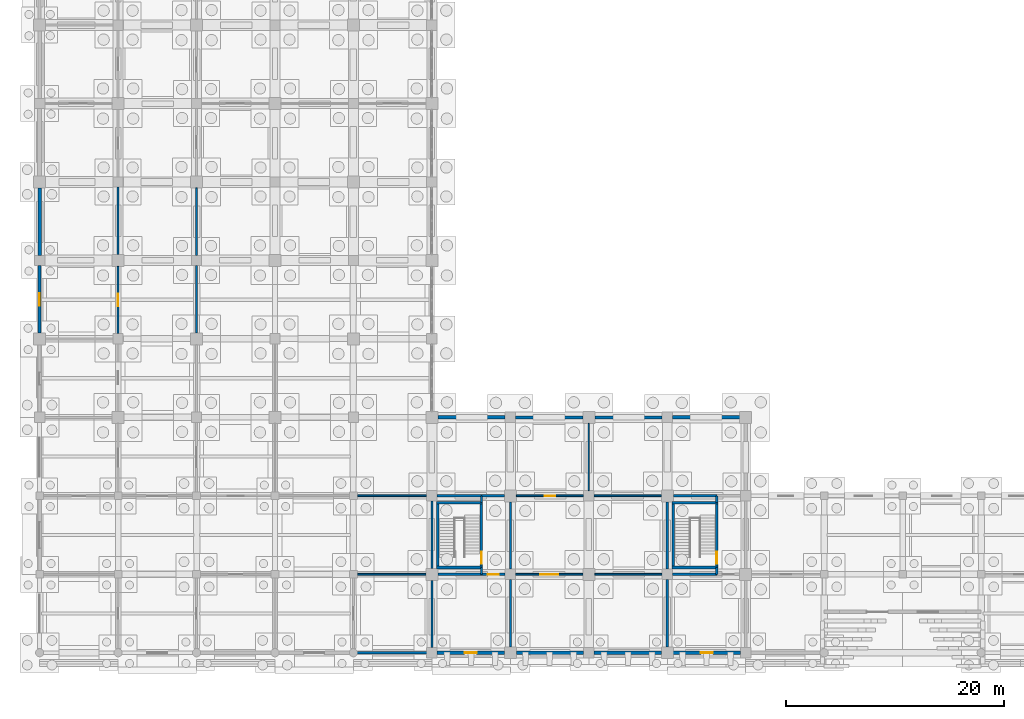
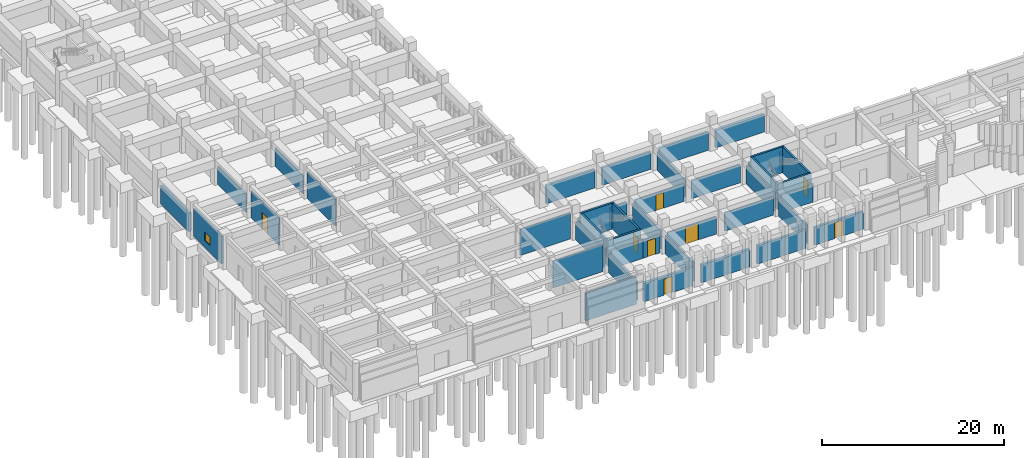
# One storey, part 57 of 79: 46 walls, 8 doors, 1 window, 9 openings.
"""IFC4 building model written with IfcOpenShell, lengths in metres."""

from ifc_helpers import new_model, si_unit, direction, frame, frame_2d, origin, place, context, subcontext, project, spatial, rectangle, extrude, material, layer, layer_set, type_object, element, fill, save


model = new_model("IFC4")

# Units and contexts
model_context = context("Model", 3, precision=1e-05, world=origin(), true_north=direction((0.0, 1.0)))
body_context = subcontext(model_context, "Body", "Model", "MODEL_VIEW")
ifc_project = project(units=[si_unit("LENGTHUNIT", "METRE"), si_unit("AREAUNIT", "SQUARE_METRE"), si_unit("VOLUMEUNIT", "CUBIC_METRE"), si_unit("PLANEANGLEUNIT", "RADIAN"), si_unit("MASSUNIT", "GRAM", prefix="KILO")], contexts=[model_context])

# Site, building, storey
site_placement = place(None, origin())
site = spatial("IfcSite", under=ifc_project, at=site_placement, CompositionType="ELEMENT")
building_placement = place(site_placement, origin())
building = spatial("IfcBuilding", under=site, at=building_placement, Name="Kavelor Marine Aquarium", CompositionType="ELEMENT")
storey_placement = place(building_placement, origin())
storey = spatial("IfcBuildingStorey", under=building, at=storey_placement, Name="L00", CompositionType="ELEMENT", Elevation=0.0)

# Walls
ifc_material_1 = material(Name="Concrete C45/55", Category="concrete")
ifc_layer_1 = layer(ifc_material_1, 0.360107421875)
ifc_layer_set_1 = layer_set([ifc_layer_1], Name="WL-EX1")
wall_type_1 = type_object("IfcWallType", Name="WL-EX1", PredefinedType="STANDARD", material=ifc_layer_set_1)
wall_1_placement = place(storey_placement, frame((53.1298828125, 2.800048828125, 0.0), z_axis=(0.0, 0.0, 1.0), x_axis=(-1.0, 0.0, 0.0)))
element("IfcWall", 1, at=wall_1_placement, inside=storey, type_object=wall_type_1, Name="ew:x:L00:06_00", PredefinedType="STANDARD", context=body_context, shape_type="SweptSolid", body=[
    extrude(rectangle(XDim=6.184814453125, YDim=0.360107421875, at=frame_2d((3.09228515625, 0.0))), origin(), (0.0, 0.0, 1.0), 2.3701171875),
])
ifc_material_2 = material(Name="Concrete C45/55", Category="concrete")
ifc_layer_2 = layer(ifc_material_2, 0.320068359375)
ifc_layer_set_2 = layer_set([ifc_layer_2], Name="WL-EX2")
wall_type_2 = type_object("IfcWallType", Name="WL-EX2", PredefinedType="STANDARD", material=ifc_layer_set_2)
wall_2_placement = place(storey_placement, frame((60.2548828125, 2.800048828125, 0.0), z_axis=(0.0, 0.0, 1.0), x_axis=(-1.0, 0.0, 0.0)))
element("IfcWall", 2, at=wall_2_placement, inside=storey, type_object=wall_type_2, Name="ew:x:L00:07_00", PredefinedType="STANDARD", context=body_context, shape_type="SweptSolid", body=[
    extrude(rectangle(XDim=6.184814453125, YDim=0.320068359375, at=frame_2d((3.09228515625, 0.0))), origin(), (0.0, 0.0, 1.0), 2.469970703125),
])
ifc_material_3 = material(Name="Concrete C40/50", Category="concrete")
ifc_layer_3 = layer(ifc_material_3, 0.300048828125)
ifc_layer_set_3 = layer_set([ifc_layer_3], Name="WL-EX3")
wall_type_3 = type_object("IfcWallType", Name="WL-EX3", PredefinedType="STANDARD", material=ifc_layer_set_3)
wall_3_placement = place(storey_placement, frame((39.7451171875, 24.39990234375, 0.0), z_axis=(0.0, 0.0, 1.0), x_axis=(1.0, 0.0, 0.0)))
element("IfcWall", 3, at=wall_3_placement, inside=storey, type_object=wall_type_3, Name="ew:x:L00:05_03", PredefinedType="STANDARD", context=body_context, shape_type="SweptSolid", body=[
    extrude(rectangle(XDim=6.184814453125, YDim=0.300048828125, at=frame_2d((3.09228515625, 0.0))), origin(), (0.0, 0.0, 1.0), 2.469970703125),
])

# Wall, opening, door
wall_4_placement = place(storey_placement, frame((67.530029296875, 2.800048828125, 0.0), z_axis=(0.0, 0.0, 1.0), x_axis=(-1.0, 0.0, 0.0)))
wall_4 = element("IfcWall", 4, at=wall_4_placement, inside=storey, type_object=wall_type_3, Name="ew:x:L00:08_00", PredefinedType="STANDARD", context=body_context, shape_type="SweptSolid", body=[
    extrude(rectangle(XDim=6.18505859375, YDim=0.300048828125, at=frame_2d((3.092529296875, 0.0))), origin(), (0.0, 0.0, 1.0), 2.3701171875),
])
opening_1_placement = place(wall_4_placement, frame((2.54248046875, 0.0, 0.0)))
opening_1 = element("IfcOpeningElement", 5, at=opening_1_placement, cuts=wall_4, Name="Opening SD2", PredefinedType="OPENING", context=body_context, shape_type="SweptSolid", body=[
    extrude(rectangle(XDim=1.10009765625, YDim=2.14990234375, at=frame_2d((0.550048828125, 1.074951171875))), frame((0.0, 0.159912109375, 0.0), z_axis=(0.0, -1.0, 0.0), x_axis=(1.0, 0.0, 0.0)), (0.0, 0.0, 1.0), 0.320049),
])
ifc_material_4 = material(Name="Marine-Grade Anodised Aluminium and Laminated Safety Glass", Category="aluminium")
door_type_1 = type_object("IfcDoorType", Name="DR-SD2", OperationType="NOTDEFINED", PredefinedType="DOOR", material=ifc_material_4)
door_1_placement = place(opening_1_placement, origin())
door_1 = element("IfcDoor", 6, at=door_1_placement, inside=storey, type_object=door_type_1, Name="Protected Stair Exterior Exit Door SD2 (ST12)", OperationType="SINGLE_SWING_RIGHT", OverallHeight=2.14990234375, OverallWidth=1.10009765625, PredefinedType="DOOR", context=body_context, shape_type="SweptSolid", body=[
    extrude(rectangle(XDim=1.10009765625, YDim=2.14990234375, at=frame_2d((0.550048828125, 1.074951171875))), frame((0.0, 0.02490234375, 0.0), z_axis=(0.0, -1.0, 0.0), x_axis=(1.0, 0.0, 0.0)), (0.0, 0.0, 1.0), 0.050048828125),
])
fill(opening_1, door_1)

# Walls
ifc_material_5 = material(Name="Concrete C40/50", Category="concrete")
ifc_layer_4 = layer(ifc_material_5, 0.280029296875)
ifc_layer_set_4 = layer_set([ifc_layer_4], Name="WL-EX4")
wall_type_4 = type_object("IfcWallType", Name="WL-EX4", PredefinedType="STANDARD", material=ifc_layer_set_4)
wall_5_placement = place(storey_placement, frame((46.8701171875, 24.39990234375, 0.0), z_axis=(0.0, 0.0, 1.0), x_axis=(1.0, 0.0, 0.0)))
element("IfcWall", 7, at=wall_5_placement, inside=storey, type_object=wall_type_4, Name="ew:x:L00:06_03", PredefinedType="STANDARD", context=body_context, shape_type="SweptSolid", body=[
    extrude(rectangle(XDim=6.184814453125, YDim=0.280029296875, at=frame_2d((3.09228515625, 0.0))), origin(), (0.0, 0.0, 1.0), 2.3701171875),
])
ifc_material_6 = material(Name="Concrete C40/50", Category="concrete")
ifc_layer_5 = layer(ifc_material_6, 0.260009765625)
ifc_layer_set_5 = layer_set([ifc_layer_5], Name="WL-EX5")
wall_type_5 = type_object("IfcWallType", Name="WL-EX5", PredefinedType="STANDARD", material=ifc_layer_set_5)
wall_6_placement = place(storey_placement, frame((38.72998046875, 2.800048828125, 0.0), z_axis=(0.0, 0.0, 1.0), x_axis=(-1.0, 0.0, 0.0)))
element("IfcWall", 8, at=wall_6_placement, inside=storey, type_object=wall_type_5, Name="ew:x:L00:04_00", PredefinedType="STANDARD", context=body_context, shape_type="SweptSolid", body=[
    extrude(rectangle(XDim=6.419921875, YDim=0.260009765625, at=frame_2d((3.2099609375, 0.0))), origin(), (0.0, 0.0, 1.0), 3.669921875),
])
wall_7_placement = place(storey_placement, frame((54.14501953125, 24.39990234375, 0.0), z_axis=(0.0, 0.0, 1.0), x_axis=(1.0, 0.0, 0.0)))
element("IfcWall", 9, at=wall_7_placement, inside=storey, type_object=wall_type_5, Name="ew:x:L00:07_03", PredefinedType="STANDARD", context=body_context, shape_type="SweptSolid", body=[
    extrude(rectangle(XDim=6.18505859375, YDim=0.260009765625, at=frame_2d((3.092529296875, 0.0))), origin(), (0.0, 0.0, 1.0), 2.469970703125),
])

# Wall, opening, window
wall_8_placement = place(storey_placement, frame((3.199951171875, 32.14501953125, 0.0), z_axis=(0.0, 0.0, 1.0), x_axis=(0.0, 1.0, 0.0)))
wall_8 = element("IfcWall", 10, at=wall_8_placement, inside=storey, type_object=wall_type_5, Name="ew:y:L00:00_04", PredefinedType="STANDARD", context=body_context, shape_type="SweptSolid", body=[
    extrude(rectangle(XDim=6.18505859375, YDim=0.260009765625, at=frame_2d((3.092529296875, 0.0))), origin(), (0.0, 0.0, 1.0), 3.669921875),
])
opening_2_placement = place(wall_8_placement, frame((2.517578125, 0.0, 0.949951171875)))
opening_2 = element("IfcOpeningElement", 11, at=opening_2_placement, cuts=wall_8, Name="Opening W25", PredefinedType="OPENING", context=body_context, shape_type="SweptSolid", body=[
    extrude(rectangle(XDim=1.14990234375, YDim=1.14990234375, at=frame_2d((0.574951171875, 0.574951171875))), frame((0.0, 0.139892578125, 0.0), z_axis=(0.0, -1.0, 0.0), x_axis=(1.0, 0.0, 0.0)), (0.0, 0.0, 1.0), 0.28001),
])
ifc_material_7 = material(Name="Anodised Aluminium Frame with Low-E Double Glazing", Category="aluminium")
window_type = type_object("IfcWindowType", Name="WIN-W25", PartitioningType="SINGLE_PANEL", PredefinedType="WINDOW", material=ifc_material_7)
window_placement = place(opening_2_placement, origin())
window = element("IfcWindow", 12, at=window_placement, inside=storey, type_object=window_type, Name="win:y:L00:00_04", OverallHeight=1.14990234375, OverallWidth=1.14990234375, PartitioningType="SINGLE_PANEL", PredefinedType="WINDOW", context=body_context, shape_type="SweptSolid", body=[
    extrude(rectangle(XDim=1.14990234375, YDim=1.14990234375, at=frame_2d((0.574951171875, 0.574951171875))), frame((0.0, 0.030029296875, 0.0), z_axis=(0.0, -1.0, 0.0), x_axis=(1.0, 0.0, 0.0)), (0.0, 0.0, 1.0), 0.06005859375),
])
fill(opening_2, window)

# Wall, opening, door
ifc_material_8 = material(Name="Concrete C45/55", Category="concrete")
ifc_layer_6 = layer(ifc_material_8, 0.340087890625)
ifc_layer_set_6 = layer_set([ifc_layer_6], Name="WL-EX6")
wall_type_6 = type_object("IfcWallType", Name="WL-EX6", PredefinedType="STANDARD", material=ifc_layer_set_6)
wall_9_placement = place(storey_placement, frame((45.85498046875, 2.800048828125, 0.0), z_axis=(0.0, 0.0, 1.0), x_axis=(-1.0, 0.0, 0.0)))
wall_9 = element("IfcWall", 13, at=wall_9_placement, inside=storey, type_object=wall_type_6, Name="ew:x:L00:05_00", PredefinedType="STANDARD", context=body_context, shape_type="SweptSolid", body=[
    extrude(rectangle(XDim=6.18505859375, YDim=0.340087890625, at=frame_2d((3.092529296875, 0.0))), origin(), (0.0, 0.0, 1.0), 2.469970703125),
])
opening_3_placement = place(wall_9_placement, frame((2.54248046875, 0.0, 0.0)))
opening_3 = element("IfcOpeningElement", 14, at=opening_3_placement, cuts=wall_9, Name="Opening SD2", PredefinedType="OPENING", context=body_context, shape_type="SweptSolid", body=[
    extrude(rectangle(XDim=1.10009765625, YDim=2.14990234375, at=frame_2d((0.550048828125, 1.074951171875))), frame((0.0, 0.179931640625, 0.0), z_axis=(0.0, -1.0, 0.0), x_axis=(1.0, 0.0, 0.0)), (0.0, 0.0, 1.0), 0.360088),
])
door_2_placement = place(opening_3_placement, origin())
door_2 = element("IfcDoor", 15, at=door_2_placement, inside=storey, type_object=door_type_1, Name="Protected Stair Exterior Exit Door SD2 (ST04)", OperationType="SINGLE_SWING_RIGHT", OverallHeight=2.14990234375, OverallWidth=1.10009765625, PredefinedType="DOOR", context=body_context, shape_type="SweptSolid", body=[
    extrude(rectangle(XDim=1.10009765625, YDim=2.14990234375, at=frame_2d((0.550048828125, 1.074951171875))), frame((0.0, 0.02490234375, 0.0), z_axis=(0.0, -1.0, 0.0), x_axis=(1.0, 0.0, 0.0)), (0.0, 0.0, 1.0), 0.050048828125),
])
fill(opening_3, door_2)

# Walls
wall_10_placement = place(storey_placement, frame((61.27001953125, 24.39990234375, 0.0), z_axis=(0.0, 0.0, 1.0), x_axis=(1.0, 0.0, 0.0)))
element("IfcWall", 16, at=wall_10_placement, inside=storey, type_object=wall_type_6, Name="ew:x:L00:08_03", PredefinedType="STANDARD", context=body_context, shape_type="SweptSolid", body=[
    extrude(rectangle(XDim=6.18505859375, YDim=0.340087890625, at=frame_2d((3.092529296875, 0.0))), origin(), (0.0, 0.0, 1.0), 2.3701171875),
])
wall_11_placement = place(storey_placement, frame((3.199951171875, 39.27001953125, 0.0), z_axis=(0.0, 0.0, 1.0), x_axis=(0.0, 1.0, 0.0)))
element("IfcWall", 17, at=wall_11_placement, inside=storey, type_object=wall_type_6, Name="ew:y:L00:00_05", PredefinedType="STANDARD", context=body_context, shape_type="SweptSolid", body=[
    extrude(rectangle(XDim=6.18505859375, YDim=0.340087890625, at=frame_2d((3.092529296875, 0.0))), origin(), (0.0, 0.0, 1.0), 2.469970703125),
])
ifc_material_9 = material(Name="Concrete Blockwork Partition", Category="masonry")
ifc_layer_7 = layer(ifc_material_9, 0.199951171875)
ifc_layer_set_7 = layer_set([ifc_layer_7], Name="WL-PT1")
wall_type_7 = type_object("IfcWallType", Name="WL-PT1", PredefinedType="PARTITIONING", material=ifc_layer_set_7)
wall_12_placement = place(storey_placement, frame((43.739990234375, 10.0, 0.0), z_axis=(0.0, 0.0, 1.0), x_axis=(0.0, 1.0, 0.0)))
element("IfcWall", 18, at=wall_12_placement, inside=storey, type_object=wall_type_7, Name="pt:st_close:s:C04:L00", PredefinedType="PARTITIONING", context=body_context, shape_type="SweptSolid", body=[
    extrude(rectangle(XDim=0.6201171875, YDim=0.199951171875, at=frame_2d((0.31005859375, 0.0))), origin(), (0.0, 0.0, 1.0), 2.469970703125),
])
wall_13_placement = place(storey_placement, frame((43.739990234375, 16.580078125, 0.0), z_axis=(0.0, 0.0, 1.0), x_axis=(0.0, 1.0, 0.0)))
element("IfcWall", 19, at=wall_13_placement, inside=storey, type_object=wall_type_7, Name="pt:st_close:n:C04:L00", PredefinedType="PARTITIONING", context=body_context, shape_type="SweptSolid", body=[
    extrude(rectangle(XDim=0.619873046875, YDim=0.199951171875, at=frame_2d((0.31005859375, 0.0))), origin(), (0.0, 0.0, 1.0), 2.469970703125),
])
wall_14_placement = place(storey_placement, frame((39.199951171875, 10.550048828125, 0.0), z_axis=(0.0, 0.0, 1.0), x_axis=(0.0, 1.0, 0.0)))
element("IfcWall", 20, at=wall_14_placement, inside=storey, type_object=wall_type_7, Name="pt:lob:C04:L00:w", PredefinedType="PARTITIONING", context=body_context, shape_type="SweptSolid", body=[
    extrude(rectangle(XDim=6.175048828125, YDim=0.199951171875, at=frame_2d((3.08740234375, 0.0))), origin(), (0.0, 0.0, 1.0), 2.469970703125),
])
wall_15_placement = place(storey_placement, frame((46.39990234375, 10.47509765625, 0.0), z_axis=(0.0, 0.0, 1.0), x_axis=(0.0, 1.0, 0.0)))
element("IfcWall", 21, at=wall_15_placement, inside=storey, type_object=wall_type_7, Name="pt:lob:C04:L00:e", PredefinedType="PARTITIONING", context=body_context, shape_type="SweptSolid", body=[
    extrude(rectangle(XDim=6.1748046875, YDim=0.199951171875, at=frame_2d((3.08740234375, 0.0))), origin(), (0.0, 0.0, 1.0), 2.469970703125),
])
wall_16_placement = place(storey_placement, frame((39.75, 10.0, 0.0), z_axis=(0.0, 0.0, 1.0), x_axis=(1.0, 0.0, 0.0)))
element("IfcWall", 22, at=wall_16_placement, inside=storey, type_object=wall_type_7, Name="pt:lob:C04:L00:s_st", PredefinedType="PARTITIONING", context=body_context, shape_type="SweptSolid", body=[
    extrude(rectangle(XDim=3.989990234375, YDim=0.199951171875, at=frame_2d((1.9951171875, 0.0))), origin(), (0.0, 0.0, 1.0), 2.469970703125),
])

# Wall, opening, door
wall_17_placement = place(storey_placement, frame((43.739990234375, 10.0, 0.0), z_axis=(0.0, 0.0, 1.0), x_axis=(1.0, 0.0, 0.0)))
wall_17 = element("IfcWall", 23, at=wall_17_placement, inside=storey, type_object=wall_type_7, Name="pt:lob:C04:L00:s", PredefinedType="PARTITIONING", context=body_context, shape_type="SweptSolid", body=[
    extrude(rectangle(XDim=2.18505859375, YDim=0.199951171875, at=frame_2d((1.092529296875, 0.0))), origin(), (0.0, 0.0, 1.0), 2.469970703125),
])
opening_4_placement = place(wall_17_placement, frame((0.58251953125, 0.0, 0.0)))
opening_4 = element("IfcOpeningElement", 24, at=opening_4_placement, cuts=wall_17, Name="Opening SD1", PredefinedType="OPENING", context=body_context, shape_type="SweptSolid", body=[
    extrude(rectangle(XDim=1.02001953125, YDim=2.14990234375, at=frame_2d((0.510009765625, 1.074951171875))), frame((0.0, 0.10986328125, 0.0), z_axis=(0.0, -1.0, 0.0), x_axis=(1.0, 0.0, 0.0)), (0.0, 0.0, 1.0), 0.219951),
])
ifc_material_10 = material(Name="Fire-Rated Corridor Compartment Door")
door_type_2 = type_object("IfcDoorType", Name="DR-SD1", OperationType="NOTDEFINED", PredefinedType="DOOR", material=ifc_material_10)
door_3_placement = place(opening_4_placement, origin())
door_3 = element("IfcDoor", 25, at=door_3_placement, inside=storey, type_object=door_type_2, Name="Core Lobby Fire Door C04-L00", OperationType="SINGLE_SWING_RIGHT", OverallHeight=2.14990234375, OverallWidth=1.02001953125, PredefinedType="DOOR", context=body_context, shape_type="SweptSolid", body=[
    extrude(rectangle(XDim=1.02001953125, YDim=2.14990234375, at=frame_2d((0.510009765625, 1.074951171875))), frame((0.0, 0.02490234375, 0.0), z_axis=(0.0, -1.0, 0.0), x_axis=(1.0, 0.0, 0.0)), (0.0, 0.0, 1.0), 0.050048828125),
])
fill(opening_4, door_3)

# Walls
wall_18_placement = place(storey_placement, frame((39.675048828125, 17.199951171875, 0.0), z_axis=(0.0, 0.0, 1.0), x_axis=(1.0, 0.0, 0.0)))
element("IfcWall", 26, at=wall_18_placement, inside=storey, type_object=wall_type_7, Name="pt:lob:C04:L00:n_st", PredefinedType="PARTITIONING", context=body_context, shape_type="SweptSolid", body=[
    extrude(rectangle(XDim=4.06494140625, YDim=0.199951171875, at=frame_2d((2.032470703125, 0.0))), origin(), (0.0, 0.0, 1.0), 2.469970703125),
])
wall_19_placement = place(storey_placement, frame((43.739990234375, 17.199951171875, 0.0), z_axis=(0.0, 0.0, 1.0), x_axis=(1.0, 0.0, 0.0)))
element("IfcWall", 27, at=wall_19_placement, inside=storey, type_object=wall_type_7, Name="pt:lob:C04:L00:n", PredefinedType="PARTITIONING", context=body_context, shape_type="SweptSolid", body=[
    extrude(rectangle(XDim=2.110107421875, YDim=0.199951171875, at=frame_2d((1.05517578125, 0.0))), origin(), (0.0, 0.0, 1.0), 2.469970703125),
])
wall_20_placement = place(storey_placement, frame((65.340087890625, 10.0, 0.0), z_axis=(0.0, 0.0, 1.0), x_axis=(0.0, 1.0, 0.0)))
element("IfcWall", 28, at=wall_20_placement, inside=storey, type_object=wall_type_7, Name="pt:st_close:s:C12:L00", PredefinedType="PARTITIONING", context=body_context, shape_type="SweptSolid", body=[
    extrude(rectangle(XDim=0.6201171875, YDim=0.199951171875, at=frame_2d((0.31005859375, 0.0))), origin(), (0.0, 0.0, 1.0), 2.3701171875),
])
wall_21_placement = place(storey_placement, frame((65.340087890625, 16.580078125, 0.0), z_axis=(0.0, 0.0, 1.0), x_axis=(0.0, 1.0, 0.0)))
element("IfcWall", 29, at=wall_21_placement, inside=storey, type_object=wall_type_7, Name="pt:st_close:n:C12:L00", PredefinedType="PARTITIONING", context=body_context, shape_type="SweptSolid", body=[
    extrude(rectangle(XDim=0.619873046875, YDim=0.199951171875, at=frame_2d((0.31005859375, 0.0))), origin(), (0.0, 0.0, 1.0), 2.3701171875),
])
wall_22_placement = place(storey_placement, frame((60.800048828125, 10.47509765625, 0.0), z_axis=(0.0, 0.0, 1.0), x_axis=(0.0, 1.0, 0.0)))
element("IfcWall", 30, at=wall_22_placement, inside=storey, type_object=wall_type_7, Name="pt:lob:C12:L00:w", PredefinedType="PARTITIONING", context=body_context, shape_type="SweptSolid", body=[
    extrude(rectangle(XDim=6.1748046875, YDim=0.199951171875, at=frame_2d((3.08740234375, 0.0))), origin(), (0.0, 0.0, 1.0), 2.469970703125),
])
wall_23_placement = place(storey_placement, frame((61.27490234375, 10.0, 0.0), z_axis=(0.0, 0.0, 1.0), x_axis=(1.0, 0.0, 0.0)))
element("IfcWall", 31, at=wall_23_placement, inside=storey, type_object=wall_type_7, Name="pt:lob:C12:L00:s_st", PredefinedType="PARTITIONING", context=body_context, shape_type="SweptSolid", body=[
    extrude(rectangle(XDim=4.065185546875, YDim=0.199951171875, at=frame_2d((2.03271484375, 0.0))), origin(), (0.0, 0.0, 1.0), 2.3701171875),
])
wall_24_placement = place(storey_placement, frame((61.35009765625, 17.199951171875, 0.0), z_axis=(0.0, 0.0, 1.0), x_axis=(1.0, 0.0, 0.0)))
element("IfcWall", 32, at=wall_24_placement, inside=storey, type_object=wall_type_7, Name="pt:lob:C12:L00:n_st", PredefinedType="PARTITIONING", context=body_context, shape_type="SweptSolid", body=[
    extrude(rectangle(XDim=3.989990234375, YDim=0.199951171875, at=frame_2d((1.9951171875, 0.0))), origin(), (0.0, 0.0, 1.0), 2.3701171875),
])
wall_25_placement = place(storey_placement, frame((39.199951171875, 3.27490234375, 0.0), z_axis=(0.0, 0.0, 1.0), x_axis=(0.0, 1.0, 0.0)))
element("IfcWall", 33, at=wall_25_placement, inside=storey, type_object=wall_type_7, Name="pt:y:L00:04_00", PredefinedType="PARTITIONING", context=body_context, shape_type="SweptSolid", body=[
    extrude(rectangle(XDim=6.175048828125, YDim=0.199951171875, at=frame_2d((3.08740234375, 0.0))), origin(), (0.0, 0.0, 1.0), 2.469970703125),
])
for number, where, z_axis, x_axis, name in (
    (34, (46.39990234375, 3.35009765625, 0.0), (0.0, 0.0, 1.0), (0.0, 1.0, 0.0), "pt:y:L00:05_00"),
    (35, (60.800048828125, 3.35009765625, 0.0), (0.0, 0.0, 1.0), (0.0, 1.0, 0.0), "pt:y:L00:07_00"),
):
    element("IfcWall", number, at=place(storey_placement, frame(where, z_axis=z_axis, x_axis=x_axis)), inside=storey, type_object=wall_type_7, Name=name, PredefinedType="PARTITIONING", context=body_context, shape_type="SweptSolid", body=[
        extrude(rectangle(XDim=6.1748046875, YDim=0.199951171875, at=frame_2d((3.08740234375, 0.0))), origin(), (0.0, 0.0, 1.0), 2.469970703125),
    ])

# Wall, opening, door
ifc_material_11 = material(Name="Acoustic Gypsum Stud Partition")
ifc_layer_8 = layer(ifc_material_11, 0.159912109375)
ifc_layer_set_8 = layer_set([ifc_layer_8], Name="WL-PT2")
wall_type_8 = type_object("IfcWallType", Name="WL-PT2", PredefinedType="PARTITIONING", material=ifc_layer_set_8)
wall_26_placement = place(storey_placement, frame((10.39990234375, 32.074951171875, 0.0), z_axis=(0.0, 0.0, 1.0), x_axis=(0.0, 1.0, 0.0)))
wall_26 = element("IfcWall", 36, at=wall_26_placement, inside=storey, type_object=wall_type_8, Name="pt:y:L00:00_04", PredefinedType="PARTITIONING", context=body_context, shape_type="SweptSolid", body=[
    extrude(rectangle(XDim=6.175048828125, YDim=0.159912109375, at=frame_2d((3.08740234375, 0.0))), origin(), (0.0, 0.0, 1.0), 3.6201171875),
])
opening_5_placement = place(wall_26_placement, frame((2.507568359375, 0.0, 0.0)))
opening_5 = element("IfcOpeningElement", 37, at=opening_5_placement, cuts=wall_26, Name="Opening D09", PredefinedType="OPENING", context=body_context, shape_type="SweptSolid", body=[
    extrude(rectangle(XDim=1.159912109375, YDim=2.179931640625, at=frame_2d((0.580078125, 1.08984375))), frame((0.0, 0.08984375, 0.0), z_axis=(0.0, -1.0, 0.0), x_axis=(1.0, 0.0, 0.0)), (0.0, 0.0, 1.0), 0.179912),
])
ifc_material_12 = material(Name="Husbandry Prep Marine Door")
door_type_3 = type_object("IfcDoorType", Name="DR-D09", OperationType="NOTDEFINED", PredefinedType="DOOR", material=ifc_material_12)
door_4_placement = place(opening_5_placement, origin())
door_4 = element("IfcDoor", 38, at=door_4_placement, inside=storey, type_object=door_type_3, Name="dr:rm:pt:y:L00:00_04:0", OperationType="SINGLE_SWING_LEFT", OverallHeight=2.179931640625, OverallWidth=1.159912109375, PredefinedType="DOOR", context=body_context, shape_type="SweptSolid", body=[
    extrude(rectangle(XDim=1.159912109375, YDim=2.179931640625, at=frame_2d((0.580078125, 1.08984375))), frame((0.0, 0.02490234375, 0.0), z_axis=(0.0, -1.0, 0.0), x_axis=(1.0, 0.0, 0.0)), (0.0, 0.0, 1.0), 0.050048828125),
])
fill(opening_5, door_4)

# Walls
wall_27_placement = place(storey_placement, frame((10.39990234375, 39.35009765625, 0.0), z_axis=(0.0, 0.0, 1.0), x_axis=(0.0, 1.0, 0.0)))
element("IfcWall", 39, at=wall_27_placement, inside=storey, type_object=wall_type_8, Name="pt:y:L00:00_05", PredefinedType="PARTITIONING", context=body_context, shape_type="SweptSolid", body=[
    extrude(rectangle(XDim=6.1748046875, YDim=0.159912109375, at=frame_2d((3.08740234375, 0.0))), origin(), (0.0, 0.0, 1.0), 2.469970703125),
])
wall_28_placement = place(storey_placement, frame((17.60009765625, 32.14990234375, 0.0), z_axis=(0.0, 0.0, 1.0), x_axis=(0.0, 1.0, 0.0)))
element("IfcWall", 40, at=wall_28_placement, inside=storey, type_object=wall_type_8, Name="pt:y:L00:01_04", PredefinedType="PARTITIONING", context=body_context, shape_type="SweptSolid", body=[
    extrude(rectangle(XDim=6.175048828125, YDim=0.159912109375, at=frame_2d((3.08740234375, 0.0))), origin(), (0.0, 0.0, 1.0), 3.6201171875),
])
wall_29_placement = place(storey_placement, frame((17.60009765625, 39.27490234375, 0.0), z_axis=(0.0, 0.0, 1.0), x_axis=(0.0, 1.0, 0.0)))
element("IfcWall", 41, at=wall_29_placement, inside=storey, type_object=wall_type_8, Name="pt:y:L00:01_05", PredefinedType="PARTITIONING", context=body_context, shape_type="SweptSolid", body=[
    extrude(rectangle(XDim=6.175048828125, YDim=0.159912109375, at=frame_2d((3.08740234375, 0.0))), origin(), (0.0, 0.0, 1.0), 2.469970703125),
])
wall_30_placement = place(storey_placement, frame((32.35009765625, 10.0, 0.0), z_axis=(0.0, 0.0, 1.0), x_axis=(1.0, 0.0, 0.0)))
element("IfcWall", 42, at=wall_30_placement, inside=storey, type_object=wall_type_8, Name="pt:x:L00:04_00", PredefinedType="PARTITIONING", context=body_context, shape_type="SweptSolid", body=[
    extrude(rectangle(XDim=6.2998046875, YDim=0.159912109375, at=frame_2d((3.14990234375, 0.0))), origin(), (0.0, 0.0, 1.0), 3.6201171875),
])
wall_31_placement = place(storey_placement, frame((32.35009765625, 17.199951171875, 0.0), z_axis=(0.0, 0.0, 1.0), x_axis=(1.0, 0.0, 0.0)))
element("IfcWall", 43, at=wall_31_placement, inside=storey, type_object=wall_type_8, Name="pt:x:L00:04_01", PredefinedType="PARTITIONING", context=body_context, shape_type="SweptSolid", body=[
    extrude(rectangle(XDim=6.375, YDim=0.159912109375, at=frame_2d((3.1875, 0.0))), origin(), (0.0, 0.0, 1.0), 3.52001953125),
])

# Wall, opening, door
wall_32_placement = place(storey_placement, frame((46.875, 10.0, 0.0), z_axis=(0.0, 0.0, 1.0), x_axis=(1.0, 0.0, 0.0)))
wall_32 = element("IfcWall", 44, at=wall_32_placement, inside=storey, type_object=wall_type_8, Name="pt:x:L00:06_00", PredefinedType="PARTITIONING", context=body_context, shape_type="SweptSolid", body=[
    extrude(rectangle(XDim=6.175048828125, YDim=0.159912109375, at=frame_2d((3.08740234375, 0.0))), origin(), (0.0, 0.0, 1.0), 2.3701171875),
])
opening_6_placement = place(wall_32_placement, frame((2.257568359375, 0.0, 0.0)))
opening_6 = element("IfcOpeningElement", 45, at=opening_6_placement, cuts=wall_32, Name="Opening D12", PredefinedType="OPENING", context=body_context, shape_type="SweptSolid", body=[
    extrude(rectangle(XDim=1.659912109375, YDim=2.219970703125, at=frame_2d((0.830078125, 1.10986328125))), frame((0.0, 0.08984375, 0.0), z_axis=(0.0, -1.0, 0.0), x_axis=(1.0, 0.0, 0.0)), (0.0, 0.0, 1.0), 0.179912),
])
ifc_material_13 = material(Name="Amphitheatre Vestibule Double Door")
door_type_4 = type_object("IfcDoorType", Name="DR-D12", OperationType="NOTDEFINED", PredefinedType="DOOR", material=ifc_material_13)
door_5_placement = place(opening_6_placement, origin())
door_5 = element("IfcDoor", 46, at=door_5_placement, inside=storey, type_object=door_type_4, Name="dr:rm:pt:x:L00:06_00:0", OperationType="DOUBLE_DOOR_SINGLE_SWING", OverallHeight=2.219970703125, OverallWidth=1.659912109375, PredefinedType="DOOR", context=body_context, shape_type="SweptSolid", body=[
    extrude(rectangle(XDim=1.659912109375, YDim=2.219970703125, at=frame_2d((0.830078125, 1.10986328125))), frame((0.0, 0.02490234375, 0.0), z_axis=(0.0, -1.0, 0.0), x_axis=(1.0, 0.0, 0.0)), (0.0, 0.0, 1.0), 0.050048828125),
])
fill(opening_6, door_5)

wall_33_placement = place(storey_placement, frame((46.949951171875, 17.199951171875, 0.0), z_axis=(0.0, 0.0, 1.0), x_axis=(1.0, 0.0, 0.0)))
wall_33 = element("IfcWall", 47, at=wall_33_placement, inside=storey, type_object=wall_type_8, Name="pt:x:L00:06_01", PredefinedType="PARTITIONING", context=body_context, shape_type="SweptSolid", body=[
    extrude(rectangle(XDim=6.175048828125, YDim=0.159912109375, at=frame_2d((3.08740234375, 0.0))), origin(), (0.0, 0.0, 1.0), 2.3701171875),
])
opening_7_placement = place(wall_33_placement, frame((2.607421875, 0.0, 0.0)))
opening_7 = element("IfcOpeningElement", 48, at=opening_7_placement, cuts=wall_33, Name="Opening D01", PredefinedType="OPENING", context=body_context, shape_type="SweptSolid", body=[
    extrude(rectangle(XDim=0.9599609375, YDim=2.10009765625, at=frame_2d((0.47998046875, 1.050048828125))), frame((0.0, 0.08984375, 0.0), z_axis=(0.0, -1.0, 0.0), x_axis=(1.0, 0.0, 0.0)), (0.0, 0.0, 1.0), 0.179912),
])
ifc_material_14 = material(Name="Solid-Core Acoustic Timber Laboratory Door", Category="wood")
door_type_5 = type_object("IfcDoorType", Name="DR-D01", OperationType="NOTDEFINED", PredefinedType="DOOR", material=ifc_material_14)
door_6_placement = place(opening_7_placement, origin())
door_6 = element("IfcDoor", 49, at=door_6_placement, inside=storey, type_object=door_type_5, Name="dr:rm:pt:x:L00:06_01:0", OperationType="SINGLE_SWING_LEFT", OverallHeight=2.10009765625, OverallWidth=0.9599609375, PredefinedType="DOOR", context=body_context, shape_type="SweptSolid", body=[
    extrude(rectangle(XDim=0.9599609375, YDim=2.10009765625, at=frame_2d((0.47998046875, 1.050048828125))), frame((0.0, 0.02490234375, 0.0), z_axis=(0.0, -1.0, 0.0), x_axis=(1.0, 0.0, 0.0)), (0.0, 0.0, 1.0), 0.050048828125),
])
fill(opening_7, door_6)

# Walls
for number, where, z_axis, x_axis, name in (
    (50, (54.14990234375, 10.0, 0.0), (0.0, 0.0, 1.0), (1.0, 0.0, 0.0), "pt:x:L00:07_00"),
    (51, (54.074951171875, 17.199951171875, 0.0), (0.0, 0.0, 1.0), (1.0, 0.0, 0.0), "pt:x:L00:07_01"),
):
    element("IfcWall", number, at=place(storey_placement, frame(where, z_axis=z_axis, x_axis=x_axis)), inside=storey, type_object=wall_type_8, Name=name, PredefinedType="PARTITIONING", context=body_context, shape_type="SweptSolid", body=[
        extrude(rectangle(XDim=6.175048828125, YDim=0.159912109375, at=frame_2d((3.08740234375, 0.0))), origin(), (0.0, 0.0, 1.0), 2.469970703125),
    ])
ifc_material_15 = material(Name="Lightweight Drywall Partition")
ifc_layer_9 = layer(ifc_material_15, 0.1201171875)
ifc_layer_set_9 = layer_set([ifc_layer_9], Name="WL-PT4")
wall_type_9 = type_object("IfcWallType", Name="WL-PT4", PredefinedType="PARTITIONING", material=ifc_layer_set_9)
wall_34_placement = place(storey_placement, frame((53.60009765625, 17.675048828125, 0.0), z_axis=(0.0, 0.0, 1.0), x_axis=(0.0, 1.0, 0.0)))
element("IfcWall", 52, at=wall_34_placement, inside=storey, type_object=wall_type_9, Name="pt:y:L00:06_02", PredefinedType="PARTITIONING", context=body_context, shape_type="SweptSolid", body=[
    extrude(rectangle(XDim=6.175048828125, YDim=0.1201171875, at=frame_2d((3.08740234375, 0.0))), origin(), (0.0, 0.0, 1.0), 2.469970703125),
])
ifc_material_16 = material(Name="Concrete C40/50", Category="concrete")
ifc_layer_10 = layer(ifc_material_16, 0.35009765625)
ifc_layer_set_10 = layer_set([ifc_layer_10], Name="WL-SW2")
wall_type_10 = type_object("IfcWallType", Name="WL-SW2", PredefinedType="SHEAR", material=ifc_layer_set_10)
for number, where, z_axis, x_axis, name in (
    (53, (39.6201171875, 10.6201171875, 0.0), (0.0, 0.0, 1.0), (1.0, 0.0, 0.0), "cw_st:s:C04:L00"),
    (54, (39.6201171875, 16.580078125, 0.0), (0.0, 0.0, 1.0), (1.0, 0.0, 0.0), "cw_st:n:C04:L00"),
):
    element("IfcWall", number, at=place(storey_placement, frame(where, z_axis=z_axis, x_axis=x_axis)), inside=storey, type_object=wall_type_10, Name=name, PredefinedType="SHEAR", context=body_context, shape_type="SweptSolid", body=[
        extrude(rectangle(XDim=4.239990234375, YDim=0.239990234375, at=frame_2d((2.1201171875, 0.0))), origin(), (0.0, 0.0, 1.0), 3.47998046875),
    ])
wall_35_placement = place(storey_placement, frame((39.739990234375, 10.739990234375, 0.0), z_axis=(0.0, 0.0, 1.0), x_axis=(0.0, 1.0, 0.0)))
element("IfcWall", 55, at=wall_35_placement, inside=storey, type_object=wall_type_10, Name="cw_st:w:C04:L00", PredefinedType="SHEAR", context=body_context, shape_type="SweptSolid", body=[
    extrude(rectangle(XDim=5.719970703125, YDim=0.239990234375, at=frame_2d((2.85986328125, 0.0))), origin(), (0.0, 0.0, 1.0), 3.47998046875),
])

# Wall, opening, door
wall_36_placement = place(storey_placement, frame((43.739990234375, 10.739990234375, 0.0), z_axis=(0.0, 0.0, 1.0), x_axis=(0.0, 1.0, 0.0)))
wall_36 = element("IfcWall", 56, at=wall_36_placement, inside=storey, type_object=wall_type_10, Name="cw_st:e:C04:L00", PredefinedType="SHEAR", context=body_context, shape_type="SweptSolid", body=[
    extrude(rectangle(XDim=5.719970703125, YDim=0.239990234375, at=frame_2d((2.85986328125, 0.0))), origin(), (0.0, 0.0, 1.0), 3.47998046875),
])
opening_8_placement = place(wall_36_placement, frame((0.219970703125, 0.0, 0.0)))
opening_8 = element("IfcOpeningElement", 57, at=opening_8_placement, cuts=wall_36, Name="Opening FD1", PredefinedType="OPENING", context=body_context, shape_type="SweptSolid", body=[
    extrude(rectangle(XDim=1.1201171875, YDim=2.14990234375, at=frame_2d((0.56005859375, 1.074951171875))), frame((0.0, 0.1298828125, 0.0), z_axis=(0.0, -1.0, 0.0), x_axis=(1.0, 0.0, 0.0)), (0.0, 0.0, 1.0), 0.25999),
])
ifc_material_17 = material(Name="Fire-Rated Steel Stair and Core Door", Category="steel")
door_type_6 = type_object("IfcDoorType", Name="DR-FD1", OperationType="NOTDEFINED", PredefinedType="DOOR", material=ifc_material_17)
door_7_placement = place(opening_8_placement, origin())
door_7 = element("IfcDoor", 58, at=door_7_placement, inside=storey, type_object=door_type_6, Name="Stair Fire Door ST04-L00", OperationType="SINGLE_SWING_LEFT", OverallHeight=2.14990234375, OverallWidth=1.1201171875, PredefinedType="DOOR", context=body_context, shape_type="SweptSolid", body=[
    extrude(rectangle(XDim=1.1201171875, YDim=2.14990234375, at=frame_2d((0.56005859375, 1.074951171875))), frame((0.0, 0.02490234375, 0.0), z_axis=(0.0, -1.0, 0.0), x_axis=(1.0, 0.0, 0.0)), (0.0, 0.0, 1.0), 0.050048828125),
])
fill(opening_8, door_7)

# Walls
for number, where, z_axis, x_axis, name in (
    (59, (61.219970703125, 10.6201171875, 0.0), (0.0, 0.0, 1.0), (1.0, 0.0, 0.0), "cw_st:s:C12:L00"),
    (60, (61.219970703125, 16.580078125, 0.0), (0.0, 0.0, 1.0), (1.0, 0.0, 0.0), "cw_st:n:C12:L00"),
):
    element("IfcWall", number, at=place(storey_placement, frame(where, z_axis=z_axis, x_axis=x_axis)), inside=storey, type_object=wall_type_10, Name=name, PredefinedType="SHEAR", context=body_context, shape_type="SweptSolid", body=[
        extrude(rectangle(XDim=4.239990234375, YDim=0.239990234375, at=frame_2d((2.1201171875, 0.0))), origin(), (0.0, 0.0, 1.0), 3.47998046875),
    ])
wall_37_placement = place(storey_placement, frame((61.340087890625, 10.739990234375, 0.0), z_axis=(0.0, 0.0, 1.0), x_axis=(0.0, 1.0, 0.0)))
element("IfcWall", 61, at=wall_37_placement, inside=storey, type_object=wall_type_10, Name="cw_st:w:C12:L00", PredefinedType="SHEAR", context=body_context, shape_type="SweptSolid", body=[
    extrude(rectangle(XDim=5.719970703125, YDim=0.239990234375, at=frame_2d((2.85986328125, 0.0))), origin(), (0.0, 0.0, 1.0), 3.47998046875),
])

# Wall, opening, door
wall_38_placement = place(storey_placement, frame((65.340087890625, 10.739990234375, 0.0), z_axis=(0.0, 0.0, 1.0), x_axis=(0.0, 1.0, 0.0)))
wall_38 = element("IfcWall", 62, at=wall_38_placement, inside=storey, type_object=wall_type_10, Name="cw_st:e:C12:L00", PredefinedType="SHEAR", context=body_context, shape_type="SweptSolid", body=[
    extrude(rectangle(XDim=5.719970703125, YDim=0.239990234375, at=frame_2d((2.85986328125, 0.0))), origin(), (0.0, 0.0, 1.0), 3.47998046875),
])
opening_9_placement = place(wall_38_placement, frame((0.219970703125, 0.0, 0.0)))
opening_9 = element("IfcOpeningElement", 63, at=opening_9_placement, cuts=wall_38, Name="Opening FD1", PredefinedType="OPENING", context=body_context, shape_type="SweptSolid", body=[
    extrude(rectangle(XDim=1.1201171875, YDim=2.14990234375, at=frame_2d((0.56005859375, 1.074951171875))), frame((0.0, 0.1298828125, 0.0), z_axis=(0.0, -1.0, 0.0), x_axis=(1.0, 0.0, 0.0)), (0.0, 0.0, 1.0), 0.25999),
])
door_8_placement = place(opening_9_placement, origin())
door_8 = element("IfcDoor", 64, at=door_8_placement, inside=storey, type_object=door_type_6, Name="Stair Fire Door ST12-L00", OperationType="SINGLE_SWING_LEFT", OverallHeight=2.14990234375, OverallWidth=1.1201171875, PredefinedType="DOOR", context=body_context, shape_type="SweptSolid", body=[
    extrude(rectangle(XDim=1.1201171875, YDim=2.14990234375, at=frame_2d((0.56005859375, 1.074951171875))), frame((0.0, 0.02490234375, 0.0), z_axis=(0.0, -1.0, 0.0), x_axis=(1.0, 0.0, 0.0)), (0.0, 0.0, 1.0), 0.050048828125),
])
fill(opening_9, door_8)

save(model, "model.ifc")
